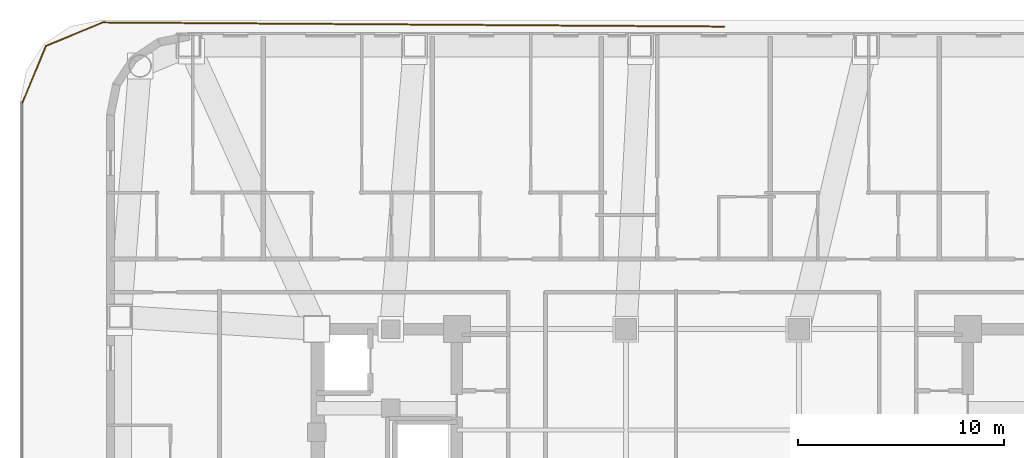
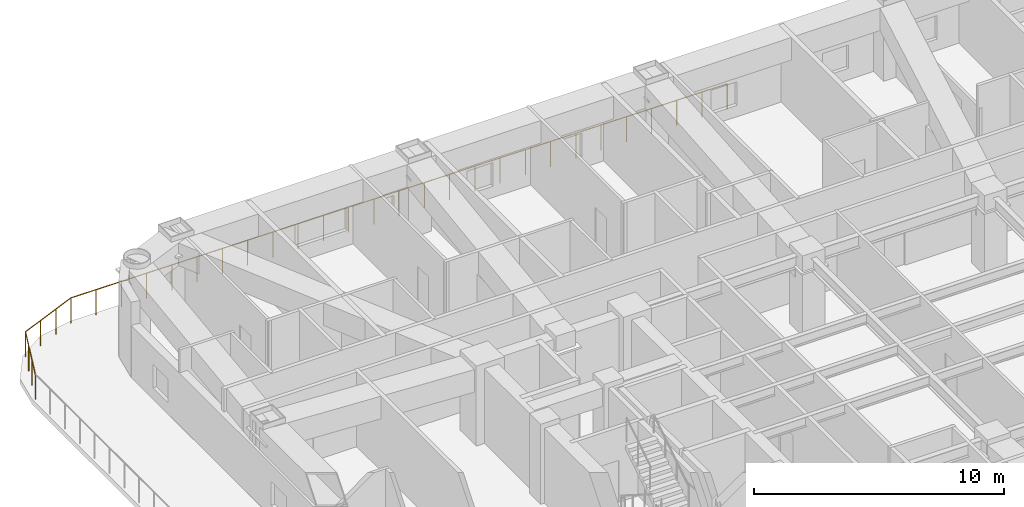
# One storey, part 18 of 18: 3 railings.
"""IFC4 building model written with IfcOpenShell, lengths in metres."""

from ifc_helpers import new_model, si_unit, direction, frame, origin, origin_2d, place, context, subcontext, project, spatial, circle, extrude, material, type_object, element, save


model = new_model("IFC4")

# Units and contexts
model_context = context("Model", 3, precision=1e-05, world=origin(), true_north=direction((0.0, 1.0)))
body_context = subcontext(model_context, "Body", "Model", "MODEL_VIEW")
ifc_project = project(units=[si_unit("LENGTHUNIT", "METRE"), si_unit("AREAUNIT", "SQUARE_METRE"), si_unit("VOLUMEUNIT", "CUBIC_METRE"), si_unit("PLANEANGLEUNIT", "RADIAN"), si_unit("MASSUNIT", "GRAM", prefix="KILO")], contexts=[model_context])

# Site, building, storey
site_placement = place(None, origin())
site = spatial("IfcSite", under=ifc_project, at=site_placement, CompositionType="ELEMENT")
building_placement = place(site_placement, origin())
building = spatial("IfcBuilding", under=site, at=building_placement, Name="Voryun Gate Residences", CompositionType="ELEMENT")
storey_placement = place(building_placement, frame((0.0, 0.0, 85.800048828125)))
storey = spatial("IfcBuildingStorey", under=building, at=storey_placement, Name="L20", CompositionType="ELEMENT", Elevation=85.800048828125)

# Railings
ifc_material = material(Name="Anodised aluminium", Category="aluminium")
railing_type = type_object("IfcRailingType", Name="RAIL_TERRACE_GUARD_1250", PredefinedType="GUARDRAIL", material=ifc_material)
railing_1_placement = place(storey_placement, frame((-33.47998046875, 18.38818359375, 0.0)))
element("IfcRailing", 1, at=railing_1_placement, inside=storey, type_object=railing_type, Name="Terrace guard RL-L20-P1L1-06", PredefinedType="GUARDRAIL", context=body_context, shape_type="SweptSolid", body=[
    extrude(circle(Radius=0.02392578125, at=origin_2d()), frame((0.0, 0.0, 1.22607421875), z_axis=(0.381989910015, 0.924166494008, 0.0), x_axis=(-0.924166494008, 0.381989910015, 0.0)), (0.0, 0.0, 1.0), 2.979736328125),
    extrude(circle(Radius=0.02099609375, at=origin_2d()), origin(), (0.0, 0.0, 1.0), 1.201904296875),
    extrude(circle(Radius=0.02099609375, at=origin_2d()), frame((0.37939453125, 0.91796875, 0.0)), (0.0, 0.0, 1.0), 1.201904296875),
    extrude(circle(Radius=0.02099609375, at=origin_2d()), frame((0.7587890625, 1.835693359375, 0.0)), (0.0, 0.0, 1.0), 1.201904296875),
    extrude(circle(Radius=0.02099609375, at=origin_2d()), frame((1.13818359375, 2.753662109375, 0.0)), (0.0, 0.0, 1.0), 1.201904296875),
])
railing_2_placement = place(storey_placement, frame((-32.341796875, 21.141845703125, 0.0)))
element("IfcRailing", 2, at=railing_2_placement, inside=storey, type_object=railing_type, Name="Terrace guard RL-L20-P1L1-07", PredefinedType="GUARDRAIL", context=body_context, shape_type="SweptSolid", body=[
    extrude(circle(Radius=0.02392578125, at=origin_2d()), frame((0.0, 0.0, 1.22607421875), z_axis=(0.924166494008, 0.381989910015, 0.0), x_axis=(-0.381989910015, 0.924166494008, 0.0)), (0.0, 0.0, 1.0), 2.979736328125),
    extrude(circle(Radius=0.02099609375, at=origin_2d()), origin(), (0.0, 0.0, 1.0), 1.201904296875),
    extrude(circle(Radius=0.02099609375, at=origin_2d()), frame((0.91796875, 0.37939453125, 0.0)), (0.0, 0.0, 1.0), 1.201904296875),
    extrude(circle(Radius=0.02099609375, at=origin_2d()), frame((1.835693359375, 0.7587890625, 0.0)), (0.0, 0.0, 1.0), 1.201904296875),
    extrude(circle(Radius=0.02099609375, at=origin_2d()), frame((2.753662109375, 1.13818359375, 0.0)), (0.0, 0.0, 1.0), 1.201904296875),
])
railing_3_placement = place(storey_placement, frame((-29.588134765625, 22.280029296875, 0.0)))
element("IfcRailing", 3, at=railing_3_placement, inside=storey, type_object=railing_type, Name="Terrace guard RL-L20-P1L1-08", PredefinedType="GUARDRAIL", context=body_context, shape_type="SweptSolid", body=[
    extrude(circle(Radius=0.02392578125, at=origin_2d()), frame((0.0, 0.0, 1.22607421875), z_axis=(0.999978044172, -0.006626550624, 0.0), x_axis=(0.006626550624, 0.999978044172, 0.0)), (0.0, 0.0, 1.0), 30.17431640625),
    extrude(circle(Radius=0.02099609375, at=origin_2d()), origin(), (0.0, 0.0, 1.0), 1.201904296875),
    extrude(circle(Radius=0.02099609375, at=origin_2d()), frame((1.16064453125, -0.0078125, 0.0)), (0.0, 0.0, 1.0), 1.201904296875),
    extrude(circle(Radius=0.02099609375, at=origin_2d()), frame((2.321044921875, -0.015380859375, 0.0)), (0.0, 0.0, 1.0), 1.201904296875),
    extrude(circle(Radius=0.02099609375, at=origin_2d()), frame((3.4814453125, -0.02294921875, 0.0)), (0.0, 0.0, 1.0), 1.201904296875),
    extrude(circle(Radius=0.02099609375, at=origin_2d()), frame((4.64208984375, -0.03076171875, 0.0)), (0.0, 0.0, 1.0), 1.201904296875),
    extrude(circle(Radius=0.02099609375, at=origin_2d()), frame((5.802734375, -0.03857421875, 0.0)), (0.0, 0.0, 1.0), 1.201904296875),
    extrude(circle(Radius=0.02099609375, at=origin_2d()), frame((6.963134765625, -0.046142578125, 0.0)), (0.0, 0.0, 1.0), 1.201904296875),
    extrude(circle(Radius=0.02099609375, at=origin_2d()), frame((8.12353515625, -0.0537109375, 0.0)), (0.0, 0.0, 1.0), 1.201904296875),
    extrude(circle(Radius=0.02099609375, at=origin_2d()), frame((9.2841796875, -0.0615234375, 0.0)), (0.0, 0.0, 1.0), 1.201904296875),
    extrude(circle(Radius=0.02099609375, at=origin_2d()), frame((10.44482421875, -0.0693359375, 0.0)), (0.0, 0.0, 1.0), 1.201904296875),
    extrude(circle(Radius=0.02099609375, at=origin_2d()), frame((11.605224609375, -0.076904296875, 0.0)), (0.0, 0.0, 1.0), 1.201904296875),
    extrude(circle(Radius=0.02099609375, at=origin_2d()), frame((12.765625, -0.08447265625, 0.0)), (0.0, 0.0, 1.0), 1.201904296875),
    extrude(circle(Radius=0.02099609375, at=origin_2d()), frame((13.92626953125, -0.09228515625, 0.0)), (0.0, 0.0, 1.0), 1.201904296875),
    extrude(circle(Radius=0.02099609375, at=origin_2d()), frame((15.0869140625, -0.10009765625, 0.0)), (0.0, 0.0, 1.0), 1.201904296875),
    extrude(circle(Radius=0.02099609375, at=origin_2d()), frame((16.247314453125, -0.107666015625, 0.0)), (0.0, 0.0, 1.0), 1.201904296875),
    extrude(circle(Radius=0.02099609375, at=origin_2d()), frame((17.40771484375, -0.115234375, 0.0)), (0.0, 0.0, 1.0), 1.201904296875),
    extrude(circle(Radius=0.02099609375, at=origin_2d()), frame((18.568359375, -0.123046875, 0.0)), (0.0, 0.0, 1.0), 1.201904296875),
    extrude(circle(Radius=0.02099609375, at=origin_2d()), frame((19.72900390625, -0.130859375, 0.0)), (0.0, 0.0, 1.0), 1.201904296875),
    extrude(circle(Radius=0.02099609375, at=origin_2d()), frame((20.889404296875, -0.138427734375, 0.0)), (0.0, 0.0, 1.0), 1.201904296875),
    extrude(circle(Radius=0.02099609375, at=origin_2d()), frame((22.0498046875, -0.14599609375, 0.0)), (0.0, 0.0, 1.0), 1.201904296875),
    extrude(circle(Radius=0.02099609375, at=origin_2d()), frame((23.21044921875, -0.15380859375, 0.0)), (0.0, 0.0, 1.0), 1.201904296875),
    extrude(circle(Radius=0.02099609375, at=origin_2d()), frame((24.37109375, -0.16162109375, 0.0)), (0.0, 0.0, 1.0), 1.201904296875),
    extrude(circle(Radius=0.02099609375, at=origin_2d()), frame((25.531494140625, -0.169189453125, 0.0)), (0.0, 0.0, 1.0), 1.201904296875),
    extrude(circle(Radius=0.02099609375, at=origin_2d()), frame((26.69189453125, -0.1767578125, 0.0)), (0.0, 0.0, 1.0), 1.201904296875),
    extrude(circle(Radius=0.02099609375, at=origin_2d()), frame((27.8525390625, -0.1845703125, 0.0)), (0.0, 0.0, 1.0), 1.201904296875),
    extrude(circle(Radius=0.02099609375, at=origin_2d()), frame((29.01318359375, -0.1923828125, 0.0)), (0.0, 0.0, 1.0), 1.201904296875),
    extrude(circle(Radius=0.02099609375, at=origin_2d()), frame((30.173583984375, -0.199951171875, 0.0)), (0.0, 0.0, 1.0), 1.201904296875),
])

save(model, "model.ifc")
